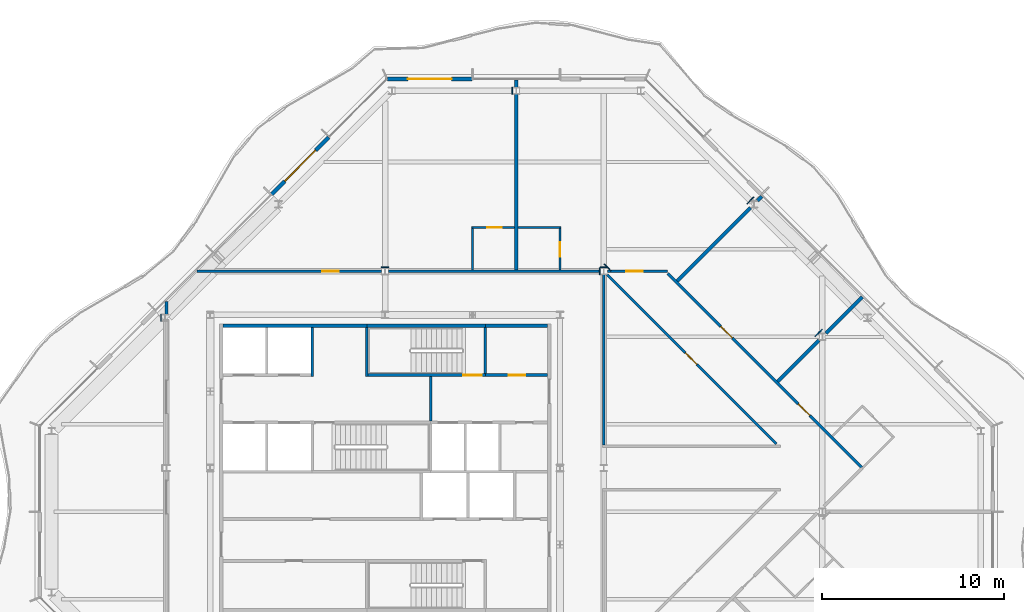
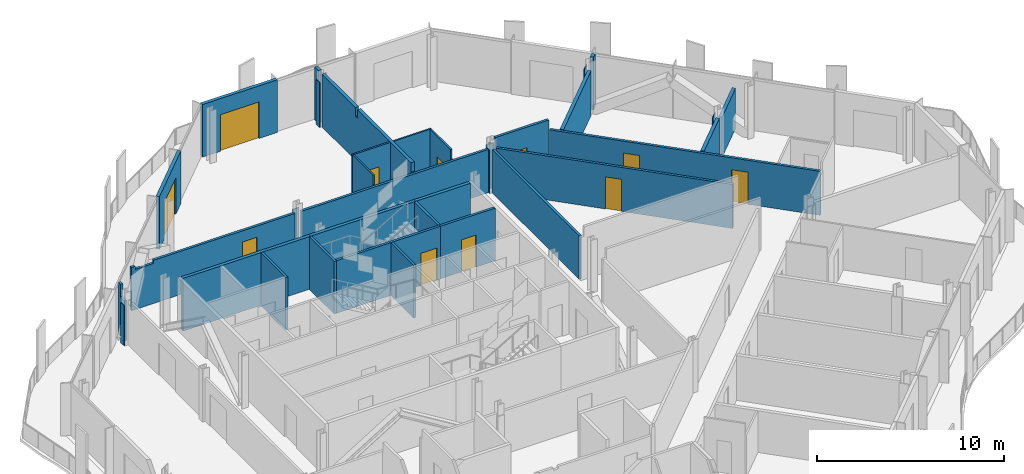
# One storey, part 11 of 17: 36 walls, 11 doors, 11 openings.
"""IFC4 building model written with IfcOpenShell, lengths in metres."""

from ifc_helpers import new_model, si_unit, direction, frame, frame_2d, origin, place, context, subcontext, project, spatial, polyline, rectangle, outline, extrude, material, layer, layer_set, type_object, element, fill, save


model = new_model("IFC4")

# Units and contexts
model_context = context("Model", 3, precision=1e-05, world=origin(), true_north=direction((0.0, 1.0)))
body_context = subcontext(model_context, "Body", "Model", "MODEL_VIEW")
ifc_project = project(units=[si_unit("LENGTHUNIT", "METRE"), si_unit("AREAUNIT", "SQUARE_METRE"), si_unit("VOLUMEUNIT", "CUBIC_METRE"), si_unit("PLANEANGLEUNIT", "RADIAN"), si_unit("MASSUNIT", "GRAM", prefix="KILO")], contexts=[model_context])

# Site, building, storey
site_placement = place(None, origin())
site = spatial("IfcSite", under=ifc_project, at=site_placement, CompositionType="ELEMENT")
building_placement = place(site_placement, origin())
building = spatial("IfcBuilding", under=site, at=building_placement, Name="Cairn Pilgrim Tower", CompositionType="ELEMENT")
storey_placement = place(building_placement, frame((0.0, 0.0, 281.39990234375)))
storey = spatial("IfcBuildingStorey", under=building, at=storey_placement, Name="L72", CompositionType="ELEMENT", Elevation=281.39990234375)

# Wall, opening, door
ifc_material_1 = material(Name="Bronze anodised aluminium insulated sandwich panel with mineral wool fill", Category="aluminium")
ifc_layer_1 = layer(ifc_material_1, 0.199951171875)
ifc_layer_set_1 = layer_set([ifc_layer_1], Name="BRONZE INFILL FRAME WALL 200")
wall_type_1 = type_object("IfcWallType", Name="BRONZE INFILL FRAME WALL 200", PredefinedType="NOTDEFINED", material=ifc_layer_set_1)
wall_1_placement = place(storey_placement, frame((11.969970703125, 23.75, 0.0), z_axis=(0.0, 0.0, 1.0), x_axis=(-1.0, 0.0, 0.0)))
wall_1 = element("IfcWall", 1, at=wall_1_placement, inside=storey, type_object=wall_type_1, Name="Bronze infill frame wall IW-N3", PredefinedType="NOTDEFINED", context=body_context, shape_type="SweptSolid", body=[
    extrude(rectangle(XDim=4.62646484375, YDim=0.199951171875, at=frame_2d((2.313232421875, 0.0))), origin(), (0.0, 0.0, 1.0), 3.4501953125),
])
opening_1_placement = place(wall_1_placement, frame((1.117919921875, 0.0, 0.0)))
opening_1 = element("IfcOpeningElement", 2, at=opening_1_placement, cuts=wall_1, Name="Opening 7210B2", PredefinedType="OPENING", context=body_context, shape_type="SweptSolid", body=[
    extrude(rectangle(XDim=2.39990234375, YDim=2.39990234375, at=frame_2d((1.199951171875, 1.199951171875))), frame((0.0, 0.10986328125, 0.0), z_axis=(0.0, -1.0, 0.0), x_axis=(1.0, 0.0, 0.0)), (0.0, 0.0, 1.0), 0.219970703125),
])
ifc_material_2 = material(Name="Bronze anodised aluminium frame with tinted low-E glass", Category="aluminium")
door_type_1 = type_object("IfcDoorType", Name="BALCONY SLIDING DOOR 2400x2400", OperationType="DOUBLE_DOOR_SLIDING", PredefinedType="DOOR", material=ifc_material_2)
door_1_placement = place(opening_1_placement, origin())
door_1 = element("IfcDoor", 3, at=door_1_placement, inside=storey, type_object=door_type_1, Name="Balcony sliding door 7210B2", OperationType="SINGLE_SWING_LEFT", OverallHeight=2.39990234375, OverallWidth=2.39990234375, PredefinedType="DOOR", context=body_context, shape_type="SweptSolid", body=[
    extrude(rectangle(XDim=2.39990234375, YDim=2.39990234375, at=frame_2d((1.199951171875, 1.199951171875))), frame((0.0, 0.02490234375, 0.0), z_axis=(0.0, -1.0, 0.0), x_axis=(1.0, 0.0, 0.0)), (0.0, 0.0, 1.0), 0.050048828125),
])
fill(opening_1, door_1)

wall_2_placement = place(storey_placement, frame((4.106689453125, 20.55322265625, 0.0), z_axis=(0.0, 0.0, 1.0), x_axis=(-0.707079231393, -0.707134329907, 0.0)))
wall_2 = element("IfcWall", 4, at=wall_2_placement, inside=storey, type_object=wall_type_1, Name="Bronze infill frame wall IW-NW2", PredefinedType="NOTDEFINED", context=body_context, shape_type="SweptSolid", body=[
    extrude(rectangle(XDim=4.430908203125, YDim=0.199951171875, at=frame_2d((2.21533203125, 0.0))), origin(), (0.0, 0.0, 1.0), 3.4501953125),
])
opening_2_placement = place(wall_2_placement, frame((1.015380859375, 0.0, 0.0)))
opening_2 = element("IfcOpeningElement", 5, at=opening_2_placement, cuts=wall_2, Name="Opening 7210B", PredefinedType="OPENING", context=body_context, shape_type="SweptSolid", body=[
    extrude(rectangle(XDim=2.39990234375, YDim=2.39990234375, at=frame_2d((1.199951171875, 1.199951171875))), frame((0.0, 0.10986328125, 0.0), z_axis=(0.0, -1.0, 0.0), x_axis=(1.0, 0.0, 0.0)), (0.0, 0.0, 1.0), 0.219970703125),
])
door_2_placement = place(opening_2_placement, origin())
door_2 = element("IfcDoor", 6, at=door_2_placement, inside=storey, type_object=door_type_1, Name="Balcony sliding door 7210B", OperationType="SINGLE_SWING_LEFT", OverallHeight=2.39990234375, OverallWidth=2.39990234375, PredefinedType="DOOR", context=body_context, shape_type="SweptSolid", body=[
    extrude(rectangle(XDim=2.39990234375, YDim=2.39990234375, at=frame_2d((1.199951171875, 1.199951171875))), frame((0.0, 0.02490234375, 0.0), z_axis=(0.0, -1.0, 0.0), x_axis=(1.0, 0.0, 0.0)), (0.0, 0.0, 1.0), 0.050048828125),
])
fill(opening_2, door_2)

# Walls
ifc_material_3 = material(Name="Concrete C32/40", Category="concrete")
ifc_layer_2 = layer(ifc_material_3, 0.199951171875)
ifc_layer_set_2 = layer_set([ifc_layer_2], Name="CORE OUTER WALL 200 EI 120")
wall_type_2 = type_object("IfcWallType", Name="CORE OUTER WALL 200 EI 120", PredefinedType="SOLIDWALL", material=ifc_layer_set_2)
wall_3_placement = place(storey_placement, frame((-1.699951171875, 10.199951171875, 0.0), z_axis=(0.0, 0.0, 1.0), x_axis=(1.0, 0.0, 0.0)))
element("IfcWall", 7, at=wall_3_placement, inside=storey, type_object=wall_type_2, Name="CW:L72:H12-1", PredefinedType="SOLIDWALL", context=body_context, shape_type="SweptSolid", body=[
    extrude(rectangle(XDim=7.89990234375, YDim=0.199951171875, at=frame_2d((3.949951171875, 0.0))), origin(), (0.0, 0.0, 1.0), 3.4501953125),
])
wall_4_placement = place(storey_placement, frame((12.699951171875, 10.199951171875, 0.0), z_axis=(0.0, 0.0, 1.0), x_axis=(1.0, 0.0, 0.0)))
element("IfcWall", 8, at=wall_4_placement, inside=storey, type_object=wall_type_2, Name="CW:L72:H12-3", PredefinedType="SOLIDWALL", context=body_context, shape_type="SweptSolid", body=[
    extrude(rectangle(XDim=3.400146484375, YDim=0.199951171875, at=frame_2d((1.7001953125, 0.0))), origin(), (0.0, 0.0, 1.0), 3.4501953125),
])

# Wall, opening, door
ifc_layer_3 = layer(ifc_material_3, 0.14990234375)
ifc_layer_set_3 = layer_set([ifc_layer_3], Name="CORE SHAFT WALL 150 EI 120")
wall_type_3 = type_object("IfcWallType", Name="CORE SHAFT WALL 150 EI 120", PredefinedType="SOLIDWALL", material=ifc_layer_set_3)
wall_5_placement = place(storey_placement, frame((12.699951171875, 7.5, 0.0), z_axis=(0.0, 0.0, 1.0), x_axis=(1.0, 0.0, 0.0)))
wall_5 = element("IfcWall", 9, at=wall_5_placement, inside=storey, type_object=wall_type_3, Name="CW:L72:H11-2", PredefinedType="SOLIDWALL", context=body_context, shape_type="SweptSolid", body=[
    extrude(rectangle(XDim=3.400146484375, YDim=0.14990234375, at=frame_2d((1.7001953125, 0.0))), origin(), (0.0, 0.0, 1.0), 3.4501953125),
])
opening_3_placement = place(wall_5_placement, frame((1.300048828125, 0.0, 0.0)))
opening_3 = element("IfcOpeningElement", 10, at=opening_3_placement, cuts=wall_5, Name="Opening RD-R4E", PredefinedType="OPENING", context=body_context, shape_type="SweptSolid", body=[
    extrude(rectangle(XDim=0.89990234375, YDim=2.10009765625, at=frame_2d((0.449951171875, 1.050048828125))), frame((0.0, 0.0849609375, 0.0), z_axis=(0.0, -1.0, 0.0), x_axis=(1.0, 0.0, 0.0)), (0.0, 0.0, 1.0), 0.169921875),
])
ifc_material_4 = material(Name="Painted steel", Category="steel")
door_type_2 = type_object("IfcDoorType", Name="SERVICE ROOM DOOR 900x2100", OperationType="SINGLE_SWING_LEFT", PredefinedType="DOOR", material=ifc_material_4)
door_3_placement = place(opening_3_placement, origin())
door_3 = element("IfcDoor", 11, at=door_3_placement, inside=storey, type_object=door_type_2, Name="RD-R4E", OperationType="SINGLE_SWING_RIGHT", OverallHeight=2.10009765625, OverallWidth=0.89990234375, PredefinedType="DOOR", context=body_context, shape_type="SweptSolid", body=[
    extrude(rectangle(XDim=0.89990234375, YDim=2.10009765625, at=frame_2d((0.449951171875, 1.050048828125))), frame((0.0, 0.02490234375, 0.0), z_axis=(0.0, -1.0, 0.0), x_axis=(1.0, 0.0, 0.0)), (0.0, 0.0, 1.0), 0.050048828125),
])
fill(opening_3, door_3)

# Walls
wall_6_placement = place(storey_placement, frame((3.199951171875, 7.425048828125, 0.0), z_axis=(0.0, 0.0, 1.0), x_axis=(0.0, 1.0, 0.0)))
element("IfcWall", 12, at=wall_6_placement, inside=storey, type_object=wall_type_3, Name="CW:L72:V17", PredefinedType="SOLIDWALL", context=body_context, shape_type="SweptSolid", body=[
    extrude(rectangle(XDim=2.675048828125, YDim=0.14990234375, at=frame_2d((1.33740234375, 0.0))), origin(), (0.0, 0.0, 1.0), 3.4501953125),
])
wall_7_placement = place(storey_placement, frame((9.699951171875, 4.97509765625, 0.0), z_axis=(0.0, 0.0, 1.0), x_axis=(0.0, 1.0, 0.0)))
element("IfcWall", 13, at=wall_7_placement, inside=storey, type_object=wall_type_3, Name="CW:L72:V22", PredefinedType="SOLIDWALL", context=body_context, shape_type="SweptSolid", body=[
    extrude(rectangle(XDim=2.449951171875, YDim=0.14990234375, at=frame_2d((1.22509765625, 0.0))), origin(), (0.0, 0.0, 1.0), 3.4501953125),
])
ifc_material_5 = material(Name="Gypsum partition")
ifc_layer_4 = layer(ifc_material_5, 0.10009765625)
ifc_layer_set_4 = layer_set([ifc_layer_4], Name="PARTITION 100 DRYWALL")
wall_type_4 = type_object("IfcWallType", Name="PARTITION 100 DRYWALL", PredefinedType="PARTITIONING", material=ifc_layer_set_4)
wall_8_placement = place(storey_placement, frame((12.0, 13.27490234375, 0.0), z_axis=(0.0, 0.0, 1.0), x_axis=(0.0, 1.0, 0.0)))
element("IfcWall", 14, at=wall_8_placement, inside=storey, type_object=wall_type_4, Name="PARTITION W056", PredefinedType="PARTITIONING", context=body_context, shape_type="SweptSolid", body=[
    extrude(outline(polyline([(0.0, 0.0), (2.275146484375, 0.0), (2.27490234375, 3.4501953125), (0.074951171875, 3.4501953125), (0.072998046875, 2.830078125), (0.0, 2.830078125), (0.0, 0.0)])), frame((0.0, 0.050048828125, 0.0), z_axis=(0.0, -1.0, 0.0), x_axis=(1.0, 0.0, 0.0)), (0.0, 0.0, 1.0), 0.10009765625),
])

# Wall, opening, door
wall_9_placement = place(storey_placement, frame((16.800048828125, 13.27490234375, 0.0), z_axis=(0.0, 0.0, 1.0), x_axis=(0.0, 1.0, 0.0)))
wall_9 = element("IfcWall", 15, at=wall_9_placement, inside=storey, type_object=wall_type_4, Name="PARTITION W058", PredefinedType="PARTITIONING", context=body_context, shape_type="SweptSolid", body=[
    extrude(outline(polyline([(0.0, 0.0), (2.275146484375, 0.0), (2.27490234375, 3.4501953125), (0.074951171875, 3.4501953125), (0.072998046875, 2.830078125), (0.0, 2.830078125), (0.0, 0.0)])), frame((0.0, 0.050048828125, 0.0), z_axis=(0.0, -1.0, 0.0), x_axis=(1.0, 0.0, 0.0)), (0.0, 0.0, 1.0), 0.10009765625),
])
opening_4_placement = place(wall_9_placement, frame((0.72509765625, 0.0, 0.0)))
opening_4 = element("IfcOpeningElement", 16, at=opening_4_placement, cuts=wall_9, Name="Opening 7209A", PredefinedType="OPENING", context=body_context, shape_type="SweptSolid", body=[
    extrude(rectangle(XDim=0.800048828125, YDim=2.10009765625, at=frame_2d((0.39990234375, 1.050048828125))), frame((0.0, 0.06005859375, 0.0), z_axis=(0.0, -1.0, 0.0), x_axis=(1.0, 0.0, 0.0)), (0.0, 0.0, 1.0), 0.1201171875),
])
ifc_material_6 = material(Name="Timber door leaf", Category="wood")
door_type_3 = type_object("IfcDoorType", Name="WC DOOR 800x2100", OperationType="NOTDEFINED", PredefinedType="DOOR", material=ifc_material_6)
door_4_placement = place(opening_4_placement, frame((0.800048828125, 0.0, 0.0), z_axis=(0.0, 0.0, 1.0), x_axis=(-1.0, 0.0, 0.0)))
door_4 = element("IfcDoor", 17, at=door_4_placement, inside=storey, type_object=door_type_3, Name="DOOR 7209A", OperationType="SINGLE_SWING_LEFT", OverallHeight=2.10009765625, OverallWidth=0.800048828125, PredefinedType="DOOR", context=body_context, shape_type="SweptSolid", body=[
    extrude(rectangle(XDim=0.800048828125, YDim=2.10009765625, at=frame_2d((0.39990234375, 1.050048828125))), frame((0.0, 0.02490234375, 0.0), z_axis=(0.0, -1.0, 0.0), x_axis=(1.0, 0.0, 0.0)), (0.0, 0.0, 1.0), 0.050048828125),
])
fill(opening_4, door_4)

wall_10_placement = place(storey_placement, frame((11.949951171875, 15.60009765625, 0.0), z_axis=(0.0, 0.0, 1.0), x_axis=(1.0, 0.0, 0.0)))
wall_10 = element("IfcWall", 18, at=wall_10_placement, inside=storey, type_object=wall_type_4, Name="PARTITION W059", PredefinedType="PARTITIONING", context=body_context, shape_type="SweptSolid", body=[
    extrude(rectangle(XDim=2.35009765625, YDim=0.10009765625, at=frame_2d((1.175048828125, 0.0))), origin(), (0.0, 0.0, 1.0), 3.4501953125),
])
opening_5_placement = place(wall_10_placement, frame((0.85009765625, 0.0, 0.0)))
opening_5 = element("IfcOpeningElement", 19, at=opening_5_placement, cuts=wall_10, Name="Opening 7210A", PredefinedType="OPENING", context=body_context, shape_type="SweptSolid", body=[
    extrude(rectangle(XDim=0.800048828125, YDim=2.10009765625, at=frame_2d((0.39990234375, 1.050048828125))), frame((0.0, 0.06005859375, 0.0), z_axis=(0.0, -1.0, 0.0), x_axis=(1.0, 0.0, 0.0)), (0.0, 0.0, 1.0), 0.1201171875),
])
door_5_placement = place(opening_5_placement, origin())
door_5 = element("IfcDoor", 20, at=door_5_placement, inside=storey, type_object=door_type_3, Name="DOOR 7210A", OperationType="SINGLE_SWING_RIGHT", OverallHeight=2.10009765625, OverallWidth=0.800048828125, PredefinedType="DOOR", context=body_context, shape_type="SweptSolid", body=[
    extrude(rectangle(XDim=0.800048828125, YDim=2.10009765625, at=frame_2d((0.39990234375, 1.050048828125))), frame((0.0, 0.02490234375, 0.0), z_axis=(0.0, -1.0, 0.0), x_axis=(1.0, 0.0, 0.0)), (0.0, 0.0, 1.0), 0.050048828125),
])
fill(opening_5, door_5)

# Wall
wall_11_placement = place(storey_placement, frame((14.5, 15.60009765625, 0.0), z_axis=(0.0, 0.0, 1.0), x_axis=(1.0, 0.0, 0.0)))
element("IfcWall", 21, at=wall_11_placement, inside=storey, type_object=wall_type_4, Name="PARTITION W060", PredefinedType="PARTITIONING", context=body_context, shape_type="SweptSolid", body=[
    extrude(rectangle(XDim=2.35009765625, YDim=0.10009765625, at=frame_2d((1.175048828125, 0.0))), origin(), (0.0, 0.0, 1.0), 3.4501953125),
])

# Wall, openings, doors
ifc_layer_5 = layer(ifc_material_5, 0.14990234375)
ifc_layer_set_5 = layer_set([ifc_layer_5], Name="PARTITION 150 DRYWALL EI 60")
wall_type_5 = type_object("IfcWallType", Name="PARTITION 150 DRYWALL EI 60", PredefinedType="PARTITIONING", material=ifc_layer_set_5)
wall_12_placement = place(storey_placement, frame((33.358642578125, 2.435302734375, 0.0), z_axis=(0.0, 0.0, 1.0), x_axis=(-0.707098666068, 0.707114896212, 0.0)))
wall_12 = element("IfcWall", 22, at=wall_12_placement, inside=storey, type_object=wall_type_5, Name="PARTITION W042", PredefinedType="PARTITIONING", context=body_context, shape_type="SweptSolid", body=[
    extrude(rectangle(XDim=15.04248046875, YDim=0.14990234375, at=frame_2d((7.521240234375, 0.0))), origin(), (0.0, 0.0, 1.0), 2.880126953125),
])
opening_6_placement = place(wall_12_placement, frame((4.021484375, 0.0, 0.0)))
opening_6 = element("IfcOpeningElement", 23, at=opening_6_placement, cuts=wall_12, Name="Opening 7207", PredefinedType="OPENING", context=body_context, shape_type="SweptSolid", body=[
    extrude(rectangle(XDim=0.89990234375, YDim=2.10009765625, at=frame_2d((0.449951171875, 1.050048828125))), frame((0.0, 0.0849609375, 0.0), z_axis=(0.0, -1.0, 0.0), x_axis=(1.0, 0.0, 0.0)), (0.0, 0.0, 1.0), 0.169921875),
])
opening_7_placement = place(wall_12_placement, frame((10.039794921875, 0.0, 0.0)))
opening_7 = element("IfcOpeningElement", 24, at=opening_7_placement, cuts=wall_12, Name="Opening 7208", PredefinedType="OPENING", context=body_context, shape_type="SweptSolid", body=[
    extrude(rectangle(XDim=0.89990234375, YDim=2.10009765625, at=frame_2d((0.449951171875, 1.050048828125))), frame((0.0, 0.0849609375, 0.0), z_axis=(0.0, -1.0, 0.0), x_axis=(1.0, 0.0, 0.0)), (0.0, 0.0, 1.0), 0.169921875),
])
door_type_4 = type_object("IfcDoorType", Name="ROOM DOOR 900x2100 FD30S", OperationType="NOTDEFINED", PredefinedType="DOOR", material=ifc_material_6)
door_6_placement = place(opening_6_placement, frame((0.89990234375, 0.0, 0.0), z_axis=(0.0, 0.0, 1.0), x_axis=(-1.0, 0.0, 0.0)))
door_6 = element("IfcDoor", 25, at=door_6_placement, inside=storey, type_object=door_type_4, Name="DOOR 7207", OperationType="SINGLE_SWING_LEFT", OverallHeight=2.10009765625, OverallWidth=0.89990234375, PredefinedType="DOOR", context=body_context, shape_type="SweptSolid", body=[
    extrude(rectangle(XDim=0.89990234375, YDim=2.10009765625, at=frame_2d((0.449951171875, 1.050048828125))), frame((0.0, 0.02490234375, 0.0), z_axis=(0.0, -1.0, 0.0), x_axis=(1.0, 0.0, 0.0)), (0.0, 0.0, 1.0), 0.050048828125),
])
fill(opening_6, door_6)
door_type_5 = type_object("IfcDoorType", Name="SERVICE DOOR 900x2100 FD30S", OperationType="NOTDEFINED", PredefinedType="DOOR", material=ifc_material_6)
door_7_placement = place(opening_7_placement, frame((0.89990234375, 0.0, 0.0), z_axis=(0.0, 0.0, 1.0), x_axis=(-1.0, 0.0, 0.0)))
door_7 = element("IfcDoor", 26, at=door_7_placement, inside=storey, type_object=door_type_5, Name="DOOR 7208", OperationType="SINGLE_SWING_LEFT", OverallHeight=2.10009765625, OverallWidth=0.89990234375, PredefinedType="DOOR", context=body_context, shape_type="SweptSolid", body=[
    extrude(rectangle(XDim=0.89990234375, YDim=2.10009765625, at=frame_2d((0.449951171875, 1.050048828125))), frame((0.0, 0.02490234375, 0.0), z_axis=(0.0, -1.0, 0.0), x_axis=(1.0, 0.0, 0.0)), (0.0, 0.0, 1.0), 0.050048828125),
])
fill(opening_7, door_7)

# Wall
wall_13_placement = place(storey_placement, frame((19.199951171875, 3.675048828125, 0.0), z_axis=(0.0, 0.0, 1.0), x_axis=(0.0, 1.0, 0.0)))
element("IfcWall", 27, at=wall_13_placement, inside=storey, type_object=wall_type_5, Name="PARTITION W045", PredefinedType="PARTITIONING", context=body_context, shape_type="SweptSolid", body=[
    extrude(rectangle(XDim=9.33740234375, YDim=0.14990234375, at=frame_2d((4.668701171875, 0.0))), origin(), (0.0, 0.0, 1.0), 2.830078125),
])

# Wall, opening, door
wall_14_placement = place(storey_placement, frame((28.672119140625, 3.72802734375, 0.0), z_axis=(0.0, 0.0, 1.0), x_axis=(-0.707106781187, 0.707106781187, 0.0)))
wall_14 = element("IfcWall", 28, at=wall_14_placement, inside=storey, type_object=wall_type_5, Name="PARTITION W046", PredefinedType="PARTITIONING", context=body_context, shape_type="SweptSolid", body=[
    extrude(rectangle(XDim=13.12353515625, YDim=0.14990234375, at=frame_2d((6.561767578125, 0.0))), origin(), (0.0, 0.0, 1.0), 2.880126953125),
])
opening_8_placement = place(wall_14_placement, frame((6.156982421875, 0.0, 0.0)))
opening_8 = element("IfcOpeningElement", 29, at=opening_8_placement, cuts=wall_14, Name="Opening 7216", PredefinedType="OPENING", context=body_context, shape_type="SweptSolid", body=[
    extrude(rectangle(XDim=0.89990234375, YDim=2.10009765625, at=frame_2d((0.449951171875, 1.050048828125))), frame((0.0, 0.0849609375, 0.0), z_axis=(0.0, -1.0, 0.0), x_axis=(1.0, 0.0, 0.0)), (0.0, 0.0, 1.0), 0.169921875),
])
door_8_placement = place(opening_8_placement, origin())
door_8 = element("IfcDoor", 30, at=door_8_placement, inside=storey, type_object=door_type_5, Name="DOOR 7216", OperationType="SINGLE_SWING_RIGHT", OverallHeight=2.10009765625, OverallWidth=0.89990234375, PredefinedType="DOOR", context=body_context, shape_type="SweptSolid", body=[
    extrude(rectangle(XDim=0.89990234375, YDim=2.10009765625, at=frame_2d((0.449951171875, 1.050048828125))), frame((0.0, 0.02490234375, 0.0), z_axis=(0.0, -1.0, 0.0), x_axis=(1.0, 0.0, 0.0)), (0.0, 0.0, 1.0), 0.050048828125),
])
fill(opening_8, door_8)

# Wall
wall_15_placement = place(storey_placement, frame((-4.800048828125, 10.83544921875, 0.0), z_axis=(0.0, 0.0, 1.0), x_axis=(0.0, 1.0, 0.0)))
element("IfcWall", 31, at=wall_15_placement, inside=storey, type_object=wall_type_5, Name="PARTITION W051", PredefinedType="PARTITIONING", context=body_context, shape_type="SweptSolid", body=[
    extrude(outline(polyline([(0.0, 0.0), (0.690673828125, 0.0), (0.690673828125, 3.4501953125), (0.461669921875, 3.4501953125), (0.459716796875, 2.630126953125), (0.0, 2.630126953125), (0.0, 0.0)])), frame((0.0, 0.074951171875, 0.0), z_axis=(0.0, -1.0, 0.0), x_axis=(1.0, 0.0, 0.0)), (0.0, 0.0, 1.0), 0.14990234375),
])

# Wall, opening, door
wall_16_placement = place(storey_placement, frame((-3.126220703125, 13.199951171875, 0.0), z_axis=(0.0, 0.0, 1.0), x_axis=(1.0, 0.0, 0.0)))
wall_16 = element("IfcWall", 32, at=wall_16_placement, inside=storey, type_object=wall_type_5, Name="PARTITION W053", PredefinedType="PARTITIONING", context=body_context, shape_type="SweptSolid", body=[
    extrude(outline(polyline([(0.0, 0.0), (10.129150390625, 0.0), (10.129150390625, 2.830078125), (1.368896484375, 2.830078125), (1.366943359375, 2.630126953125), (0.22900390625, 2.630126953125), (0.226806640625, 2.830078125), (0.0, 2.830078125), (0.0, 0.0)])), frame((0.0, 0.074951171875, 0.0), z_axis=(0.0, -1.0, 0.0), x_axis=(1.0, 0.0, 0.0)), (0.0, 0.0, 1.0), 0.14990234375),
])
opening_9_placement = place(wall_16_placement, frame((6.8759765625, 0.0, 0.0)))
opening_9 = element("IfcOpeningElement", 33, at=opening_9_placement, cuts=wall_16, Name="Opening 7210", PredefinedType="OPENING", context=body_context, shape_type="SweptSolid", body=[
    extrude(rectangle(XDim=0.89990234375, YDim=2.10009765625, at=frame_2d((0.449951171875, 1.050048828125))), frame((0.0, 0.0849609375, 0.0), z_axis=(0.0, -1.0, 0.0), x_axis=(1.0, 0.0, 0.0)), (0.0, 0.0, 1.0), 0.169921875),
])
door_9_placement = place(opening_9_placement, origin())
door_9 = element("IfcDoor", 34, at=door_9_placement, inside=storey, type_object=door_type_4, Name="DOOR 7210", OperationType="SINGLE_SWING_RIGHT", OverallHeight=2.10009765625, OverallWidth=0.89990234375, PredefinedType="DOOR", context=body_context, shape_type="SweptSolid", body=[
    extrude(rectangle(XDim=0.89990234375, YDim=2.10009765625, at=frame_2d((0.449951171875, 1.050048828125))), frame((0.0, 0.02490234375, 0.0), z_axis=(0.0, -1.0, 0.0), x_axis=(1.0, 0.0, 0.0)), (0.0, 0.0, 1.0), 0.050048828125),
])
fill(opening_9, door_9)

# Wall
wall_17_placement = place(storey_placement, frame((7.39697265625, 13.199951171875, 0.0), z_axis=(0.0, 0.0, 1.0), x_axis=(1.0, 0.0, 0.0)))
element("IfcWall", 35, at=wall_17_placement, inside=storey, type_object=wall_type_5, Name="PARTITION W054", PredefinedType="PARTITIONING", context=body_context, shape_type="SweptSolid", body=[
    extrude(rectangle(XDim=11.60595703125, YDim=0.14990234375, at=frame_2d((5.802978515625, 0.0))), origin(), (0.0, 0.0, 1.0), 2.830078125),
])

# Wall, opening, door
wall_18_placement = place(storey_placement, frame((19.39697265625, 13.199951171875, 0.0), z_axis=(0.0, 0.0, 1.0), x_axis=(1.0, 0.0, 0.0)))
wall_18 = element("IfcWall", 36, at=wall_18_placement, inside=storey, type_object=wall_type_5, Name="PARTITION W055", PredefinedType="PARTITIONING", context=body_context, shape_type="SweptSolid", body=[
    extrude(rectangle(XDim=3.30322265625, YDim=0.14990234375, at=frame_2d((1.651611328125, 0.0))), origin(), (0.0, 0.0, 1.0), 3.4501953125),
])
opening_10_placement = place(wall_18_placement, frame((1.050048828125, 0.0, 0.0)))
opening_10 = element("IfcOpeningElement", 37, at=opening_10_placement, cuts=wall_18, Name="Opening 7209", PredefinedType="OPENING", context=body_context, shape_type="SweptSolid", body=[
    extrude(rectangle(XDim=0.89990234375, YDim=2.10009765625, at=frame_2d((0.449951171875, 1.050048828125))), frame((0.0, 0.0849609375, 0.0), z_axis=(0.0, -1.0, 0.0), x_axis=(1.0, 0.0, 0.0)), (0.0, 0.0, 1.0), 0.169921875),
])
door_10_placement = place(opening_10_placement, origin())
door_10 = element("IfcDoor", 38, at=door_10_placement, inside=storey, type_object=door_type_4, Name="DOOR 7209", OperationType="SINGLE_SWING_LEFT", OverallHeight=2.10009765625, OverallWidth=0.89990234375, PredefinedType="DOOR", context=body_context, shape_type="SweptSolid", body=[
    extrude(rectangle(XDim=0.89990234375, YDim=2.10009765625, at=frame_2d((0.449951171875, 1.050048828125))), frame((0.0, 0.02490234375, 0.0), z_axis=(0.0, -1.0, 0.0), x_axis=(1.0, 0.0, 0.0)), (0.0, 0.0, 1.0), 0.050048828125),
])
fill(opening_10, door_10)

# Walls
ifc_layer_6 = layer(ifc_material_5, 0.050048828125)
ifc_layer_set_6 = layer_set([ifc_layer_6], Name="PARTITION 50 DRYWALL EI 60")
wall_type_6 = type_object("IfcWallType", Name="PARTITION 50 DRYWALL EI 60", PredefinedType="PARTITIONING", material=ifc_layer_set_6)
wall_19_placement = place(storey_placement, frame((-5.09619140625, 10.467529296875, 0.0), z_axis=(0.0, 0.0, 1.0), x_axis=(0.0, 1.0, 0.0)))
element("IfcWall", 39, at=wall_19_placement, inside=storey, type_object=wall_type_6, Name="COLUMN CASING WC10", PredefinedType="PARTITIONING", context=body_context, shape_type="SweptSolid", body=[
    extrude(rectangle(XDim=0.367919921875, YDim=0.050048828125, at=frame_2d((0.18408203125, 0.0))), origin(), (0.0, 0.0, 1.0), 2.630126953125),
])
wall_20_placement = place(storey_placement, frame((18.97802734375, 13.012451171875, 0.0), z_axis=(0.0, 0.0, 1.0), x_axis=(0.0, 1.0, 0.0)))
element("IfcWall", 40, at=wall_20_placement, inside=storey, type_object=wall_type_6, Name="COLUMN CASING WC16", PredefinedType="PARTITIONING", context=body_context, shape_type="SweptSolid", body=[
    extrude(rectangle(XDim=0.375, YDim=0.050048828125, at=frame_2d((0.1875, 0.0))), origin(), (0.0, 0.0, 1.0), 2.830078125),
])
wall_21_placement = place(storey_placement, frame((19.602294921875, 13.2177734375, 0.0), z_axis=(0.0, 0.0, 1.0), x_axis=(-0.707106781187, 0.707106781187, 0.0)))
element("IfcWall", 41, at=wall_21_placement, inside=storey, type_object=wall_type_6, Name="COLUMN CASING WC17", PredefinedType="PARTITIONING", context=body_context, shape_type="SweptSolid", body=[
    extrude(rectangle(XDim=0.543701171875, YDim=0.050048828125, at=frame_2d((0.27197265625, 0.0))), origin(), (0.0, 0.0, 1.0), 2.93017578125),
])
wall_22_placement = place(storey_placement, frame((30.7978515625, 9.61767578125, 0.0), z_axis=(0.0, 0.0, 1.0), x_axis=(0.707106781187, 0.707106781187, 0.0)))
element("IfcWall", 42, at=wall_22_placement, inside=storey, type_object=wall_type_6, Name="COLUMN CASING WC18", PredefinedType="PARTITIONING", context=body_context, shape_type="SweptSolid", body=[
    extrude(rectangle(XDim=0.543701171875, YDim=0.050048828125, at=frame_2d((0.27197265625, 0.0))), origin(), (0.0, 0.0, 1.0), 2.880126953125),
])
wall_23_placement = place(storey_placement, frame((27.05419921875, 16.893310546875, 0.0), z_axis=(0.0, 0.0, 1.0), x_axis=(0.707106781187, 0.707106781187, 0.0)))
element("IfcWall", 43, at=wall_23_placement, inside=storey, type_object=wall_type_6, Name="COLUMN CASING WC19", PredefinedType="PARTITIONING", context=body_context, shape_type="SweptSolid", body=[
    extrude(rectangle(XDim=0.536865234375, YDim=0.050048828125, at=frame_2d((0.2685546875, 0.0))), origin(), (0.0, 0.0, 1.0), 2.93017578125),
])
for number, where, z_axis, x_axis, name in (
    (44, (7.0029296875, 13.41259765625, 0.0), (0.0, 0.0, 1.0), (1.0, 0.0, 0.0), "COLUMN CASING WC20"),
    (45, (19.0029296875, 13.41259765625, 0.0), (0.0, 0.0, 1.0), (1.0, 0.0, 0.0), "COLUMN CASING WC21"),
):
    element("IfcWall", number, at=place(storey_placement, frame(where, z_axis=z_axis, x_axis=x_axis)), inside=storey, type_object=wall_type_6, Name=name, PredefinedType="PARTITIONING", context=body_context, shape_type="SweptSolid", body=[
        extrude(rectangle(XDim=0.39404296875, YDim=0.050048828125, at=frame_2d((0.197021484375, 0.0))), origin(), (0.0, 0.0, 1.0), 2.93017578125),
    ])
wall_24_placement = place(storey_placement, frame((14.179443359375, 22.916015625, 0.0), z_axis=(0.0, 0.0, 1.0), x_axis=(0.0, 1.0, 0.0)))
element("IfcWall", 46, at=wall_24_placement, inside=storey, type_object=wall_type_6, Name="COLUMN CASING WC22", PredefinedType="PARTITIONING", context=body_context, shape_type="SweptSolid", body=[
    extrude(rectangle(XDim=0.367919921875, YDim=0.050048828125, at=frame_2d((0.18408203125, 0.0))), origin(), (0.0, 0.0, 1.0), 2.93017578125),
])
ifc_layer_7 = layer(ifc_material_5, 0.199951171875)
ifc_layer_set_7 = layer_set([ifc_layer_7], Name="SHAFT WALL 200 GYPSUM EI 60")
wall_type_7 = type_object("IfcWallType", Name="SHAFT WALL 200 GYPSUM EI 60", PredefinedType="PARTITIONING", material=ifc_layer_set_7)
wall_25_placement = place(storey_placement, frame((28.75, 7.14990234375, 0.0), z_axis=(0.0, 0.0, 1.0), x_axis=(0.707106781187, 0.707106781187, 0.0)))
element("IfcWall", 47, at=wall_25_placement, inside=storey, type_object=wall_type_7, Name="PARTITION W049", PredefinedType="PARTITIONING", context=body_context, shape_type="SweptSolid", body=[
    extrude(rectangle(XDim=3.193115234375, YDim=0.199951171875, at=frame_2d((1.5966796875, 0.0))), origin(), (0.0, 0.0, 1.0), 2.93017578125),
])
wall_26_placement = place(storey_placement, frame((31.392333984375, 9.792236328125, 0.0), z_axis=(0.0, 0.0, 1.0), x_axis=(0.707106781187, 0.707106781187, 0.0)))
element("IfcWall", 48, at=wall_26_placement, inside=storey, type_object=wall_type_7, Name="PARTITION W050", PredefinedType="PARTITIONING", context=body_context, shape_type="SweptSolid", body=[
    extrude(rectangle(XDim=2.812255859375, YDim=0.199951171875, at=frame_2d((1.40625, 0.0))), origin(), (0.0, 0.0, 1.0), 2.630126953125),
])
wall_27_placement = place(storey_placement, frame((23.238037109375, 12.662109375, 0.0), z_axis=(0.0, 0.0, 1.0), x_axis=(0.707106781187, 0.707106781187, 0.0)))
element("IfcWall", 49, at=wall_27_placement, inside=storey, type_object=wall_type_7, Name="PARTITION W052", PredefinedType="PARTITIONING", context=body_context, shape_type="SweptSolid", body=[
    extrude(rectangle(XDim=5.6904296875, YDim=0.199951171875, at=frame_2d((2.84521484375, 0.0))), origin(), (0.0, 0.0, 1.0), 2.93017578125),
])
wall_28_placement = place(storey_placement, frame((14.39990234375, 13.27490234375, 0.0), z_axis=(0.0, 0.0, 1.0), x_axis=(0.0, 1.0, 0.0)))
element("IfcWall", 50, at=wall_28_placement, inside=storey, type_object=wall_type_7, Name="PARTITION W057", PredefinedType="PARTITIONING", context=body_context, shape_type="SweptSolid", body=[
    extrude(outline(polyline([(0.0, 0.0), (9.64111328125, 0.0), (9.64111328125, 3.4501953125), (6.030029296875, 3.4501953125), (6.028076171875, 2.880126953125), (5.820068359375, 2.880126953125), (5.818115234375, 3.4501953125), (0.074951171875, 3.4501953125), (0.072998046875, 2.830078125), (0.0, 2.830078125), (0.0, 0.0)])), frame((0.0, 0.10009765625, 0.0), z_axis=(0.0, -1.0, 0.0), x_axis=(1.0, 0.0, 0.0)), (0.0, 0.0, 1.0), 0.199951171875),
])
wall_29_placement = place(storey_placement, frame((27.641357421875, 17.065185546875, 0.0), z_axis=(0.0, 0.0, 1.0), x_axis=(0.707106781187, 0.707106781187, 0.0)))
element("IfcWall", 51, at=wall_29_placement, inside=storey, type_object=wall_type_7, Name="PARTITION W061", PredefinedType="PARTITIONING", context=body_context, shape_type="SweptSolid", body=[
    extrude(rectangle(XDim=0.32177734375, YDim=0.199951171875, at=frame_2d((0.160888671875, 0.0))), origin(), (0.0, 0.0, 1.0), 3.4501953125),
])
wall_30_placement = place(storey_placement, frame((14.39990234375, 23.283935546875, 0.0), z_axis=(0.0, 0.0, 1.0), x_axis=(0.0, 1.0, 0.0)))
element("IfcWall", 52, at=wall_30_placement, inside=storey, type_object=wall_type_7, Name="PARTITION W062", PredefinedType="PARTITIONING", context=body_context, shape_type="SweptSolid", body=[
    extrude(rectangle(XDim=0.4189453125, YDim=0.199951171875, at=frame_2d((0.20947265625, 0.0))), origin(), (0.0, 0.0, 1.0), 3.4501953125),
])

# Wall, opening, door
ifc_material_7 = material(Name="Concrete C35/45", Category="concrete")
ifc_layer_8 = layer(ifc_material_7, 0.14990234375)
ifc_layer_set_8 = layer_set([ifc_layer_8], Name="STAIR SHAFT WALL 150 EI 120")
wall_type_8 = type_object("IfcWallType", Name="STAIR SHAFT WALL 150 EI 120", PredefinedType="SOLIDWALL", material=ifc_layer_set_8)
wall_31_placement = place(storey_placement, frame((6.27490234375, 7.5, 0.0), z_axis=(0.0, 0.0, 1.0), x_axis=(1.0, 0.0, 0.0)))
wall_31 = element("IfcWall", 53, at=wall_31_placement, inside=storey, type_object=wall_type_8, Name="CW:L72:H11-1", PredefinedType="SOLIDWALL", context=body_context, shape_type="SweptSolid", body=[
    extrude(rectangle(XDim=6.425048828125, YDim=0.14990234375, at=frame_2d((3.21240234375, 0.0))), origin(), (0.0, 0.0, 1.0), 3.4501953125),
])
opening_11_placement = place(wall_31_placement, frame((5.22509765625, 0.0, 0.0)))
opening_11 = element("IfcOpeningElement", 54, at=opening_11_placement, cuts=wall_31, Name="Opening SD-C", PredefinedType="OPENING", context=body_context, shape_type="SweptSolid", body=[
    extrude(rectangle(XDim=1.0, YDim=2.10009765625, at=frame_2d((0.5, 1.050048828125))), frame((0.0, 0.0849609375, 0.0), z_axis=(0.0, -1.0, 0.0), x_axis=(1.0, 0.0, 0.0)), (0.0, 0.0, 1.0), 0.169921875),
])
door_type_6 = type_object("IfcDoorType", Name="STAIR DOOR FD60S 1000x2100", OperationType="SINGLE_SWING_LEFT", PredefinedType="DOOR", material=ifc_material_4)
door_11_placement = place(opening_11_placement, origin())
door_11 = element("IfcDoor", 55, at=door_11_placement, inside=storey, type_object=door_type_6, Name="SD-C", OperationType="SINGLE_SWING_LEFT", OverallHeight=2.10009765625, OverallWidth=1.0, PredefinedType="DOOR", context=body_context, shape_type="SweptSolid", body=[
    extrude(rectangle(XDim=1.0, YDim=2.10009765625, at=frame_2d((0.5, 1.050048828125))), frame((0.0, 0.02490234375, 0.0), z_axis=(0.0, -1.0, 0.0), x_axis=(1.0, 0.0, 0.0)), (0.0, 0.0, 1.0), 0.050048828125),
])
fill(opening_11, door_11)

# Walls
wall_32_placement = place(storey_placement, frame((6.199951171875, 7.425048828125, 0.0), z_axis=(0.0, 0.0, 1.0), x_axis=(0.0, 1.0, 0.0)))
element("IfcWall", 56, at=wall_32_placement, inside=storey, type_object=wall_type_8, Name="CW:L72:V19", PredefinedType="SOLIDWALL", context=body_context, shape_type="SweptSolid", body=[
    extrude(rectangle(XDim=2.675048828125, YDim=0.14990234375, at=frame_2d((1.33740234375, 0.0))), origin(), (0.0, 0.0, 1.0), 3.4501953125),
])
wall_33_placement = place(storey_placement, frame((12.699951171875, 7.574951171875, 0.0), z_axis=(0.0, 0.0, 1.0), x_axis=(0.0, 1.0, 0.0)))
element("IfcWall", 57, at=wall_33_placement, inside=storey, type_object=wall_type_8, Name="CW:L72:V26", PredefinedType="SOLIDWALL", context=body_context, shape_type="SweptSolid", body=[
    extrude(rectangle(XDim=2.525146484375, YDim=0.14990234375, at=frame_2d((1.2626953125, 0.0))), origin(), (0.0, 0.0, 1.0), 3.4501953125),
])
ifc_layer_9 = layer(ifc_material_7, 0.199951171875)
ifc_layer_set_9 = layer_set([ifc_layer_9], Name="STAIR SHAFT WALL 200 EI 120")
wall_type_9 = type_object("IfcWallType", Name="STAIR SHAFT WALL 200 EI 120", PredefinedType="SOLIDWALL", material=ifc_layer_set_9)
wall_34_placement = place(storey_placement, frame((6.199951171875, 10.199951171875, 0.0), z_axis=(0.0, 0.0, 1.0), x_axis=(1.0, 0.0, 0.0)))
element("IfcWall", 58, at=wall_34_placement, inside=storey, type_object=wall_type_9, Name="CW:L72:H12-2", PredefinedType="SOLIDWALL", context=body_context, shape_type="SweptSolid", body=[
    extrude(rectangle(XDim=6.5, YDim=0.199951171875, at=frame_2d((3.25, 0.0))), origin(), (0.0, 0.0, 1.0), 3.4501953125),
])

save(model, "model.ifc")
